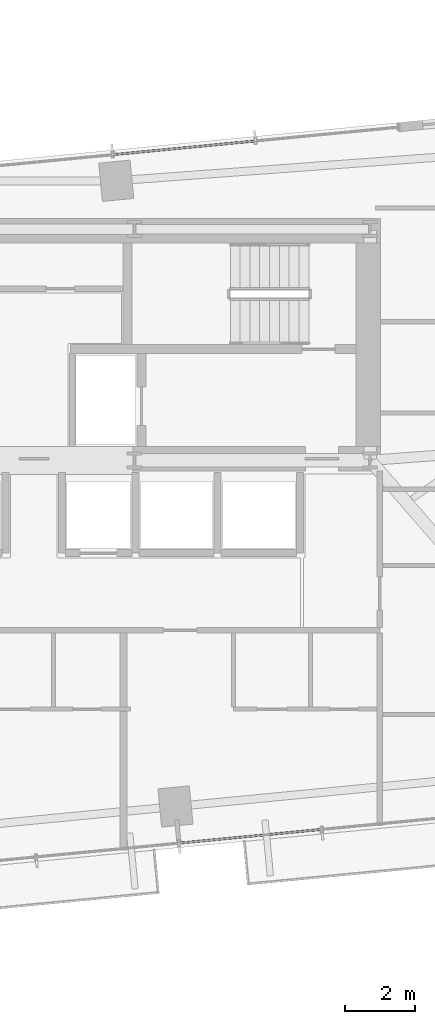
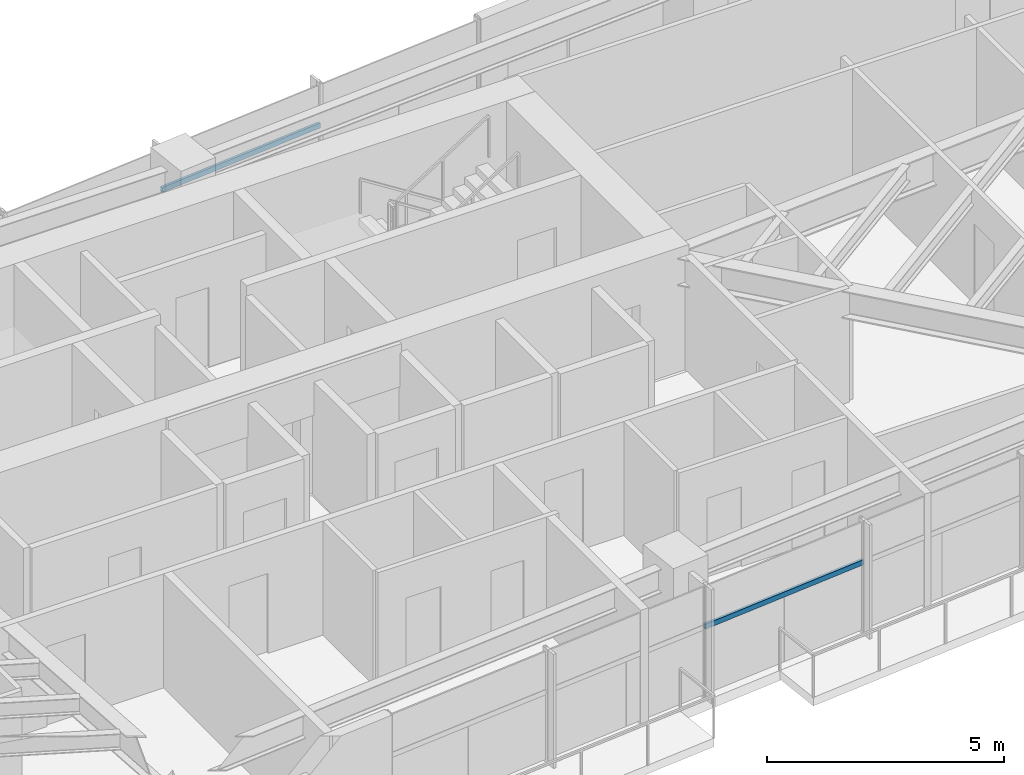
# One storey, part 11 of 25: 2 members, 2 elements without a shape of their own.
"""IFC4 building model written with IfcOpenShell, lengths in metres."""

from ifc_helpers import new_model, si_unit, direction, frame, origin, origin_2d, place, context, subcontext, project, spatial, hollow_rectangle, extrude, source, transform, mapped, material, material_profile, profile_set, type_object, type_shapes, element, aggregate, save


model = new_model("IFC4")

# Units and contexts
model_context = context("Model", 3, precision=1e-05, world=origin(), true_north=direction((0.0, 1.0)))
body_context = subcontext(model_context, "Body", "Model", "MODEL_VIEW")
ifc_project = project(units=[si_unit("LENGTHUNIT", "METRE"), si_unit("AREAUNIT", "SQUARE_METRE"), si_unit("VOLUMEUNIT", "CUBIC_METRE"), si_unit("PLANEANGLEUNIT", "RADIAN"), si_unit("MASSUNIT", "GRAM", prefix="KILO")], contexts=[model_context])

# Site, building, storey
site_placement = place(None, origin())
site = spatial("IfcSite", under=ifc_project, at=site_placement, CompositionType="ELEMENT")
building_placement = place(site_placement, origin())
building = spatial("IfcBuilding", under=site, at=building_placement, Name="Astriad Promenade Condominiums", CompositionType="ELEMENT")
storey_placement = place(building_placement, frame((0.0, 0.0, 103.39990234375)))
storey = spatial("IfcBuildingStorey", under=building, at=storey_placement, Name="L29", CompositionType="ELEMENT", Elevation=103.39990234375)

# Curtain wall, member
ifc_material_1 = material(Name="Anodised aluminium Black Dark Glass Unitised", Category="aluminium")
curtain_wall_type = type_object("IfcCurtainWallType", Name="CW-B2-DARK", PredefinedType="USERDEFINED", material=ifc_material_1)
curtain_wall_1_placement = place(storey_placement, origin())
curtain_wall_1 = element("IfcCurtainWall", 1, at=curtain_wall_1_placement, inside=storey, type_object=curtain_wall_type, Name="CW-L29-N", ObjectType="UNITISED_CURTAIN_WALL", PredefinedType="USERDEFINED")
ifc_material_2 = material(Name="Anodised aluminium 6063-T6 Black", Category="aluminium")
ifc_material_profile = material_profile(ifc_material_2, hollow_rectangle(XDim=0.06494140625, YDim=0.1298828125, WallThickness=0.00390625, at=origin_2d()), Name="ALU-TRN-65X130")
ifc_profile_set = profile_set([ifc_material_profile], Name="Anodised aluminium 6063-T6 Black")
member_type = type_object("IfcMemberType", Name="TRN-ALU-TRN-65X130", PredefinedType="USERDEFINED", material=ifc_profile_set)
shared_shape = source(origin(), body_context, "Body", "SweptSolid", [
    extrude(hollow_rectangle(XDim=0.06494140625, YDim=0.1298828125, WallThickness=0.00390625, at=origin_2d()), origin(), (0.0, 0.0, 1.0), 4.094970703125),
])
type_shapes(member_type, [shared_shape])
member_1_placement = place(storey_placement, frame((38.25390625, 26.12451171875, 1.822998046875), z_axis=(0.995394161585, 0.09586690296, 0.0), x_axis=(-0.09586690296, 0.995394161585, 0.0)))
member_1 = element("IfcMember", 2, at=member_1_placement, type_object=member_type, Name="CW-L29-N-TRN-02-0", ObjectType="TRANSOM", PredefinedType="USERDEFINED", context=body_context, shape_type="MappedRepresentation", body=[
    mapped(shared_shape, transform((0.0, 0.0, 0.0), scale=1.0)),
])
aggregate(curtain_wall_1, [member_1])

curtain_wall_2_placement = place(storey_placement, origin())
curtain_wall_2 = element("IfcCurtainWall", 3, at=curtain_wall_2_placement, inside=storey, type_object=curtain_wall_type, Name="CW-L29-S", ObjectType="UNITISED_CURTAIN_WALL", PredefinedType="USERDEFINED")
member_2_placement = place(storey_placement, frame((44.22216796875, 6.867919921875, 1.822998046875), z_axis=(-0.995394161585, -0.09586690296, 0.0), x_axis=(0.09586690296, -0.995394161585, 0.0)))
member_2 = element("IfcMember", 4, at=member_2_placement, type_object=member_type, Name="CW-L29-S-TRN-01-0", ObjectType="TRANSOM", PredefinedType="USERDEFINED", context=body_context, shape_type="MappedRepresentation", body=[
    mapped(shared_shape, transform((0.0, 0.0, 0.0), scale=1.0)),
])
aggregate(curtain_wall_2, [member_2])

save(model, "model.ifc")
